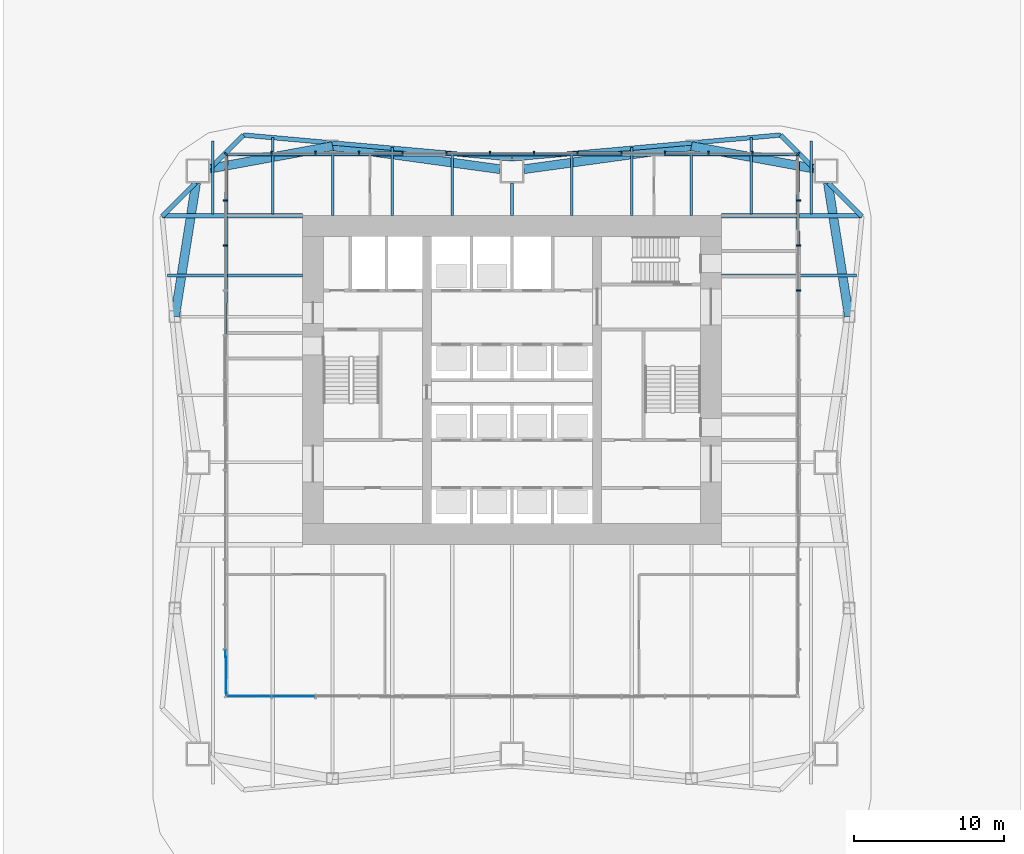
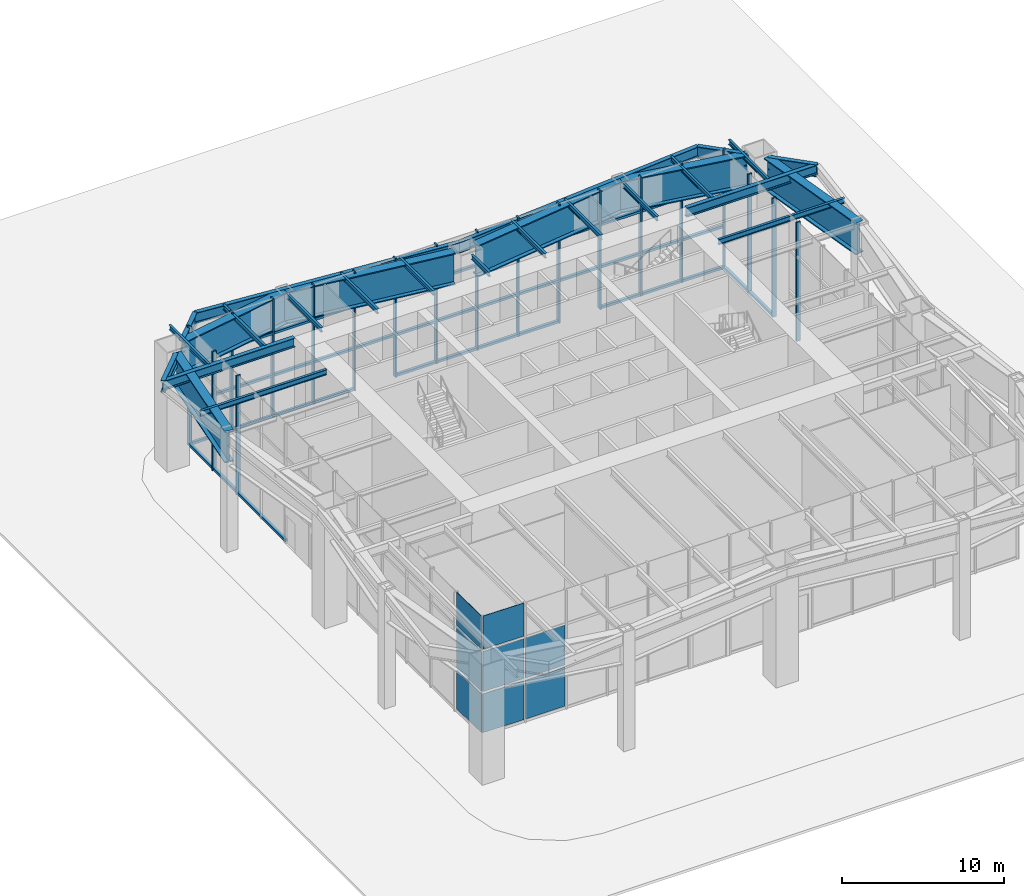
# One storey, part 4 of 13: 27 beams, 26 members, 8 plates, 4 elements without a shape of their own.
"""IFC4 building model written with IfcOpenShell, lengths in metres."""

from ifc_helpers import new_model, si_unit, direction, frame, origin, origin_2d, place, context, subcontext, project, spatial, rectangle, i_section, extrude, material, layer, layer_set, material_profile, profile_set, type_object, element, aggregate, save


model = new_model("IFC4")

# Units and contexts
model_context = context("Model", 3, precision=1e-05, world=origin(), true_north=direction((0.0, 1.0)))
body_context = subcontext(model_context, "Body", "Model", "MODEL_VIEW")
ifc_project = project(units=[si_unit("LENGTHUNIT", "METRE"), si_unit("AREAUNIT", "SQUARE_METRE"), si_unit("VOLUMEUNIT", "CUBIC_METRE"), si_unit("PLANEANGLEUNIT", "RADIAN"), si_unit("MASSUNIT", "GRAM", prefix="KILO")], contexts=[model_context])

# Site, building, storey
site_placement = place(None, origin())
site = spatial("IfcSite", under=ifc_project, at=site_placement, CompositionType="ELEMENT")
building_placement = place(site_placement, origin())
building = spatial("IfcBuilding", under=site, at=building_placement, Name="Verdant Reach Tower", CompositionType="ELEMENT")
storey_placement = place(building_placement, origin())
storey = spatial("IfcBuildingStorey", under=building, at=storey_placement, Name="G", CompositionType="ELEMENT", Elevation=0.0)

# Curtain wall, members
ifc_material_1 = material(Name="Anodised aluminium", Category="aluminium")
curtain_wall_type = type_object("IfcCurtainWallType", Name="EN-CW SYSTEM LOBBY", PredefinedType="NOTDEFINED", material=ifc_material_1)
curtain_wall_1_placement = place(storey_placement, origin())
curtain_wall_1 = element("IfcCurtainWall", 1, at=curtain_wall_1_placement, inside=storey, type_object=curtain_wall_type, Name="Curtain wall east, G", PredefinedType="NOTDEFINED")
ifc_material_profile_1 = material_profile(ifc_material_1, rectangle(XDim=0.300048828125, YDim=0.10009765625, at=origin_2d()), Name="Mullion 100x300")
ifc_profile_set_1 = profile_set([ifc_material_profile_1], Name="Anodised aluminium")
member_type_1 = type_object("IfcMemberType", Name="EN-MULLION LOBBY", PredefinedType="MULLION", material=ifc_profile_set_1)
member_1_placement = place(storey_placement, frame((19.14990234375, 34.0, 0.0), z_axis=(0.0, 0.0, 1.0), x_axis=(1.0, 0.0, 0.0)))
member_1 = element("IfcMember", 2, at=member_1_placement, type_object=member_type_1, Name="Mullion east face part 1 10, G", PredefinedType="MULLION", context=body_context, shape_type="SweptSolid", body=[
    extrude(rectangle(XDim=0.300048828125, YDim=0.10009765625, at=origin_2d()), origin(), (0.0, 0.0, 1.0), 9.0),
])
member_2_placement = place(storey_placement, frame((19.14990234375, 37.0, 0.0), z_axis=(0.0, 0.0, 1.0), x_axis=(1.0, 0.0, 0.0)))
member_2 = element("IfcMember", 3, at=member_2_placement, type_object=member_type_1, Name="Mullion east face part 1 11, G", PredefinedType="MULLION", context=body_context, shape_type="SweptSolid", body=[
    extrude(rectangle(XDim=0.300048828125, YDim=0.10009765625, at=origin_2d()), origin(), (0.0, 0.0, 1.0), 9.0),
])
member_3_placement = place(storey_placement, frame((19.14990234375, 40.0, 0.0), z_axis=(0.0, 0.0, 1.0), x_axis=(1.0, 0.0, 0.0)))
member_3 = element("IfcMember", 4, at=member_3_placement, type_object=member_type_1, Name="Mullion east face part 1 12, G", PredefinedType="MULLION", context=body_context, shape_type="SweptSolid", body=[
    extrude(rectangle(XDim=0.300048828125, YDim=0.10009765625, at=origin_2d()), origin(), (0.0, 0.0, 1.0), 9.0),
])

curtain_wall_2_placement = place(storey_placement, origin())
curtain_wall_2 = element("IfcCurtainWall", 5, at=curtain_wall_2_placement, inside=storey, type_object=curtain_wall_type, Name="Curtain wall north, G", PredefinedType="NOTDEFINED")
member_4_placement = place(storey_placement, frame((19.10595703125, 43.10595703125, 0.0), z_axis=(0.0, 0.0, 1.0), x_axis=(0.707106781187, 0.707106781187, 0.0)))
member_4 = element("IfcMember", 6, at=member_4_placement, type_object=member_type_1, Name="Mullion north face part 1 1, G", PredefinedType="MULLION", context=body_context, shape_type="SweptSolid", body=[
    extrude(rectangle(XDim=0.300048828125, YDim=0.10009765625, at=origin_2d()), origin(), (0.0, 0.0, 1.0), 9.0),
])
member_5_placement = place(storey_placement, frame((16.076904296875, 43.14990234375, 0.0), z_axis=(0.0, 0.0, 1.0), x_axis=(0.0, 1.0, 0.0)))
member_5 = element("IfcMember", 7, at=member_5_placement, type_object=member_type_1, Name="Mullion north face part 1 2, G", PredefinedType="MULLION", context=body_context, shape_type="SweptSolid", body=[
    extrude(rectangle(XDim=0.300048828125, YDim=0.10009765625, at=origin_2d()), origin(), (0.0, 0.0, 1.0), 9.0),
])
member_6_placement = place(storey_placement, frame((13.15380859375, 43.14990234375, 0.0), z_axis=(0.0, 0.0, 1.0), x_axis=(0.0, 1.0, 0.0)))
member_6 = element("IfcMember", 8, at=member_6_placement, type_object=member_type_1, Name="Mullion north face part 1 3, G", PredefinedType="MULLION", context=body_context, shape_type="SweptSolid", body=[
    extrude(rectangle(XDim=0.300048828125, YDim=0.10009765625, at=origin_2d()), origin(), (0.0, 0.0, 1.0), 9.0),
])
member_7_placement = place(storey_placement, frame((10.230712890625, 43.14990234375, 0.0), z_axis=(0.0, 0.0, 1.0), x_axis=(0.0, 1.0, 0.0)))
member_7 = element("IfcMember", 9, at=member_7_placement, type_object=member_type_1, Name="Mullion north face part 1 4, G", PredefinedType="MULLION", context=body_context, shape_type="SweptSolid", body=[
    extrude(rectangle(XDim=0.300048828125, YDim=0.10009765625, at=origin_2d()), origin(), (0.0, 0.0, 1.0), 9.0),
])
member_8_placement = place(storey_placement, frame((7.3076171875, 43.14990234375, 0.0), z_axis=(0.0, 0.0, 1.0), x_axis=(0.0, 1.0, 0.0)))
member_8 = element("IfcMember", 10, at=member_8_placement, type_object=member_type_1, Name="Mullion north face part 1 5, G", PredefinedType="MULLION", context=body_context, shape_type="SweptSolid", body=[
    extrude(rectangle(XDim=0.300048828125, YDim=0.10009765625, at=origin_2d()), origin(), (0.0, 0.0, 1.0), 9.0),
])
member_9_placement = place(storey_placement, frame((4.384521484375, 43.14990234375, 0.0), z_axis=(0.0, 0.0, 1.0), x_axis=(0.0, 1.0, 0.0)))
member_9 = element("IfcMember", 11, at=member_9_placement, type_object=member_type_1, Name="Mullion north face part 1 6, G", PredefinedType="MULLION", context=body_context, shape_type="SweptSolid", body=[
    extrude(rectangle(XDim=0.300048828125, YDim=0.10009765625, at=origin_2d()), origin(), (0.0, 0.0, 1.0), 9.0),
])
member_10_placement = place(storey_placement, frame((1.46142578125, 43.14990234375, 0.0), z_axis=(0.0, 0.0, 1.0), x_axis=(0.0, 1.0, 0.0)))
member_10 = element("IfcMember", 12, at=member_10_placement, type_object=member_type_1, Name="Mullion north face part 1 7, G", PredefinedType="MULLION", context=body_context, shape_type="SweptSolid", body=[
    extrude(rectangle(XDim=0.300048828125, YDim=0.10009765625, at=origin_2d()), origin(), (0.0, 0.0, 1.0), 9.0),
])
member_11_placement = place(storey_placement, frame((-1.46142578125, 43.14990234375, 0.0), z_axis=(0.0, 0.0, 1.0), x_axis=(0.0, 1.0, 0.0)))
member_11 = element("IfcMember", 13, at=member_11_placement, type_object=member_type_1, Name="Mullion north face part 1 8, G", PredefinedType="MULLION", context=body_context, shape_type="SweptSolid", body=[
    extrude(rectangle(XDim=0.300048828125, YDim=0.10009765625, at=origin_2d()), origin(), (0.0, 0.0, 1.0), 9.0),
])
member_12_placement = place(storey_placement, frame((-4.384521484375, 43.14990234375, 0.0), z_axis=(0.0, 0.0, 1.0), x_axis=(0.0, 1.0, 0.0)))
member_12 = element("IfcMember", 14, at=member_12_placement, type_object=member_type_1, Name="Mullion north face part 1 9, G", PredefinedType="MULLION", context=body_context, shape_type="SweptSolid", body=[
    extrude(rectangle(XDim=0.300048828125, YDim=0.10009765625, at=origin_2d()), origin(), (0.0, 0.0, 1.0), 9.0),
])
member_13_placement = place(storey_placement, frame((-7.3076171875, 43.14990234375, 0.0), z_axis=(0.0, 0.0, 1.0), x_axis=(0.0, 1.0, 0.0)))
member_13 = element("IfcMember", 15, at=member_13_placement, type_object=member_type_1, Name="Mullion north face part 1 10, G", PredefinedType="MULLION", context=body_context, shape_type="SweptSolid", body=[
    extrude(rectangle(XDim=0.300048828125, YDim=0.10009765625, at=origin_2d()), origin(), (0.0, 0.0, 1.0), 9.0),
])
member_14_placement = place(storey_placement, frame((-10.230712890625, 43.14990234375, 0.0), z_axis=(0.0, 0.0, 1.0), x_axis=(0.0, 1.0, 0.0)))
member_14 = element("IfcMember", 16, at=member_14_placement, type_object=member_type_1, Name="Mullion north face part 1 11, G", PredefinedType="MULLION", context=body_context, shape_type="SweptSolid", body=[
    extrude(rectangle(XDim=0.300048828125, YDim=0.10009765625, at=origin_2d()), origin(), (0.0, 0.0, 1.0), 9.0),
])
member_15_placement = place(storey_placement, frame((-13.15380859375, 43.14990234375, 0.0), z_axis=(0.0, 0.0, 1.0), x_axis=(0.0, 1.0, 0.0)))
member_15 = element("IfcMember", 17, at=member_15_placement, type_object=member_type_1, Name="Mullion north face part 1 12, G", PredefinedType="MULLION", context=body_context, shape_type="SweptSolid", body=[
    extrude(rectangle(XDim=0.300048828125, YDim=0.10009765625, at=origin_2d()), origin(), (0.0, 0.0, 1.0), 9.0),
])
member_16_placement = place(storey_placement, frame((-16.076904296875, 43.14990234375, 0.0), z_axis=(0.0, 0.0, 1.0), x_axis=(0.0, 1.0, 0.0)))
member_16 = element("IfcMember", 18, at=member_16_placement, type_object=member_type_1, Name="Mullion north face part 1 13, G", PredefinedType="MULLION", context=body_context, shape_type="SweptSolid", body=[
    extrude(rectangle(XDim=0.300048828125, YDim=0.10009765625, at=origin_2d()), origin(), (0.0, 0.0, 1.0), 9.0),
])

curtain_wall_3_placement = place(storey_placement, origin())
curtain_wall_3 = element("IfcCurtainWall", 19, at=curtain_wall_3_placement, inside=storey, type_object=curtain_wall_type, Name="Curtain wall west, G", PredefinedType="NOTDEFINED")
member_17_placement = place(storey_placement, frame((-19.10595703125, 43.10595703125, 0.0), z_axis=(0.0, 0.0, 1.0), x_axis=(-0.707106781187, 0.707106781187, 0.0)))
member_17 = element("IfcMember", 20, at=member_17_placement, type_object=member_type_1, Name="Mullion west face part 1 1, G", PredefinedType="MULLION", context=body_context, shape_type="SweptSolid", body=[
    extrude(rectangle(XDim=0.300048828125, YDim=0.10009765625, at=origin_2d()), origin(), (0.0, 0.0, 1.0), 9.0),
])
member_18_placement = place(storey_placement, frame((-19.14990234375, 40.0, 0.0), z_axis=(0.0, 0.0, 1.0), x_axis=(-1.0, 0.0, 0.0)))
member_18 = element("IfcMember", 21, at=member_18_placement, type_object=member_type_1, Name="Mullion west face part 1 2, G", PredefinedType="MULLION", context=body_context, shape_type="SweptSolid", body=[
    extrude(rectangle(XDim=0.300048828125, YDim=0.10009765625, at=origin_2d()), origin(), (0.0, 0.0, 1.0), 9.0),
])
member_19_placement = place(storey_placement, frame((-19.14990234375, 37.0, 0.0), z_axis=(0.0, 0.0, 1.0), x_axis=(-1.0, 0.0, 0.0)))
member_19 = element("IfcMember", 22, at=member_19_placement, type_object=member_type_1, Name="Mullion west face part 1 3, G", PredefinedType="MULLION", context=body_context, shape_type="SweptSolid", body=[
    extrude(rectangle(XDim=0.300048828125, YDim=0.10009765625, at=origin_2d()), origin(), (0.0, 0.0, 1.0), 9.0),
])

# Member
ifc_material_profile_2 = material_profile(ifc_material_1, rectangle(XDim=0.199951171875, YDim=0.179931640625, at=origin_2d()), Name="Transom 180x200")
ifc_profile_set_2 = profile_set([ifc_material_profile_2], Name="Anodised aluminium")
member_type_2 = type_object("IfcMemberType", Name="EN-TRANSOM LOBBY", PredefinedType="USERDEFINED", material=ifc_profile_set_2)
member_20_placement = place(storey_placement, frame((19.149658203125, 37.050048828125, 0.090087890625), z_axis=(-0.007194643263, 0.999974118219, 0.0), x_axis=(-0.999974118219, -0.007194643263, 0.0)))
member_20 = element("IfcMember", 23, at=member_20_placement, type_object=member_type_2, Name="Transom east face part 1 3.1, G", ObjectType="TRANSOM", PredefinedType="USERDEFINED", context=body_context, shape_type="SweptSolid", body=[
    extrude(rectangle(XDim=0.199951171875, YDim=0.179931640625, at=origin_2d()), origin(), (0.0, 0.0, 1.0), 6.00634765625),
])

aggregate(curtain_wall_1, [member_1, member_2, member_3, member_20])

member_21_placement = place(storey_placement, frame((19.05615234375, 43.106201171875, 0.090087890625), z_axis=(-0.999987738342, 0.004952087064, 0.0), x_axis=(-0.004952087064, -0.999987738342, 0.0)))
member_21 = element("IfcMember", 24, at=member_21_placement, type_object=member_type_2, Name="Transom north face part 1 1.1, G", ObjectType="TRANSOM", PredefinedType="USERDEFINED", context=body_context, shape_type="SweptSolid", body=[
    extrude(rectangle(XDim=0.199951171875, YDim=0.179931640625, at=origin_2d()), origin(), (0.0, 0.0, 1.0), 8.775390625),
])

member_22_placement = place(storey_placement, frame((7.2578125, 43.14990234375, 0.090087890625), z_axis=(-1.0, 0.0, 0.0), x_axis=(0.0, -1.0, 0.0)))
member_22 = element("IfcMember", 25, at=member_22_placement, type_object=member_type_2, Name="Transom north face part 1 2.1, G", ObjectType="TRANSOM", PredefinedType="USERDEFINED", context=body_context, shape_type="SweptSolid", body=[
    extrude(rectangle(XDim=0.199951171875, YDim=0.179931640625, at=origin_2d()), origin(), (0.0, 0.0, 1.0), 11.592529296875),
])

member_23_placement = place(storey_placement, frame((-7.357666015625, 43.14990234375, 0.090087890625), z_axis=(-0.999993022622, -0.003735600122, 0.0), x_axis=(0.003735600122, -0.999993022622, 0.0)))
member_23 = element("IfcMember", 26, at=member_23_placement, type_object=member_type_2, Name="Transom north face part 1 3.1, G", ObjectType="TRANSOM", PredefinedType="USERDEFINED", context=body_context, shape_type="SweptSolid", body=[
    extrude(rectangle(XDim=0.199951171875, YDim=0.179931640625, at=origin_2d()), origin(), (0.0, 0.0, 1.0), 11.698486328125),
])

member_24_placement = place(storey_placement, frame((19.05615234375, 43.10595703125, 3.199951171875), z_axis=(-1.0, 0.0, 0.0), x_axis=(0.0, -1.0, 0.0)))
member_24 = element("IfcMember", 27, at=member_24_placement, type_object=member_type_2, Name="Transom north face part 1 1.2, G", ObjectType="TRANSOM", PredefinedType="USERDEFINED", context=body_context, shape_type="SweptSolid", body=[
    extrude(rectangle(XDim=0.199951171875, YDim=0.179931640625, at=origin_2d()), origin(), (0.0, 0.0, 1.0), 38.1123046875),
])

member_25_placement = place(storey_placement, frame((19.05615234375, 43.10595703125, 6.39990234375), z_axis=(-1.0, 0.0, 0.0), x_axis=(0.0, -1.0, 0.0)))
member_25 = element("IfcMember", 28, at=member_25_placement, type_object=member_type_2, Name="Transom north face part 1 1.3, G", ObjectType="TRANSOM", PredefinedType="USERDEFINED", context=body_context, shape_type="SweptSolid", body=[
    extrude(rectangle(XDim=0.199951171875, YDim=0.179931640625, at=origin_2d()), origin(), (0.0, 0.0, 1.0), 38.1123046875),
])

aggregate(curtain_wall_2, [member_4, member_5, member_6, member_7, member_8, member_9, member_10, member_11, member_12, member_13, member_14, member_15, member_16, member_21, member_22, member_23, member_24, member_25])

member_26_placement = place(storey_placement, frame((-19.106201171875, 43.05615234375, 0.090087890625), z_axis=(-0.003639888855, -0.999993375583, 0.0), x_axis=(0.999993375583, -0.003639888855, 0.0)))
member_26 = element("IfcMember", 29, at=member_26_placement, type_object=member_type_2, Name="Transom west face part 1 1.1, G", ObjectType="TRANSOM", PredefinedType="USERDEFINED", context=body_context, shape_type="SweptSolid", body=[
    extrude(rectangle(XDim=0.199951171875, YDim=0.179931640625, at=origin_2d()), origin(), (0.0, 0.0, 1.0), 12.006103515625),
])

# Beams
ifc_material_2 = material(Name="Steel S355", Category="steel")
ifc_material_profile_3 = material_profile(ifc_material_2, i_section(OverallWidth=0.300048828125, OverallDepth=0.699951171875, WebThickness=0.01708984375, FlangeThickness=0.031982421875, FilletRadius=0.027099609375, at=origin_2d()), Name="HEB 700")
ifc_profile_set_3 = profile_set([ifc_material_profile_3], Name="Steel S355")
beam_type_1 = type_object("IfcBeamType", Name="ST-BEAM-HEB700", PredefinedType="BEAM", material=ifc_profile_set_3)
for number, where, z_axis, x_axis, name in (
    (30, (14.0, 39.0, 8.52001953125), (1.0, 0.0, 0.0), (0.0, 1.0, 0.0), "Trimmer beam, G"),
    (31, (-14.0, 39.0, 8.52001953125), (-1.0, 0.0, 0.0), (0.0, -1.0, 0.0), "Trimmer beam, G"),
):
    element("IfcBeam", number, at=place(storey_placement, frame(where, z_axis=z_axis, x_axis=x_axis)), inside=storey, type_object=beam_type_1, Name=name, PredefinedType="BEAM", context=body_context, shape_type="SweptSolid", body=[
        extrude(i_section(OverallWidth=0.300048828125, OverallDepth=0.699951171875, WebThickness=0.01708984375, FlangeThickness=0.031982421875, FilletRadius=0.027099609375, at=origin_2d()), origin(), (0.0, 0.0, 1.0), 9.38818359375),
    ])
ifc_material_profile_4 = material_profile(ifc_material_2, i_section(OverallWidth=0.60009765625, OverallDepth=2.39990234375, WebThickness=0.0400390625, FlangeThickness=0.080078125, at=origin_2d()), Name="PG 2400x600x40x80")
ifc_profile_set_4 = profile_set([ifc_material_profile_4], Name="Steel S355")
beam_type_2 = type_object("IfcBeamType", Name="ST-BEAM-PG2400x600x40x80", PredefinedType="BEAM", material=ifc_profile_set_4)
beam_1_placement = place(storey_placement, frame((-20.213134765625, 42.144287109375, 7.669921875), z_axis=(0.983609236735, 0.180313253558, 0.0), x_axis=(-0.180313253558, 0.983609236735, 0.0)))
element("IfcBeam", 32, at=beam_1_placement, inside=storey, type_object=beam_type_2, Name="Transfer girder north 1, ground storey", PredefinedType="BEAM", context=body_context, shape_type="SweptSolid", body=[
    extrude(i_section(OverallWidth=0.60009765625, OverallDepth=2.39990234375, WebThickness=0.0400390625, FlangeThickness=0.080078125, at=origin_2d()), origin(), (0.0, 0.0, 1.0), 8.35009765625),
])
for number, where, z_axis, x_axis, name in (
    (33, (-12.0, 43.64990234375, 7.669921875), (0.990679058264, -0.136216751966, 0.0), (0.136216751966, 0.990679058264, 0.0), "Transfer girder north 2, ground storey"),
    (34, (0.79248046875, 42.10888671875, 7.669921875), (0.990679058264, 0.136216751966, 0.0), (-0.136216751966, 0.990679058264, 0.0), "Transfer girder north 3, ground storey"),
):
    element("IfcBeam", number, at=place(storey_placement, frame(where, z_axis=z_axis, x_axis=x_axis)), inside=storey, type_object=beam_type_2, Name=name, PredefinedType="BEAM", context=body_context, shape_type="SweptSolid", body=[
        extrude(i_section(OverallWidth=0.60009765625, OverallDepth=2.39990234375, WebThickness=0.0400390625, FlangeThickness=0.080078125, at=origin_2d()), origin(), (0.0, 0.0, 1.0), 11.31298828125),
    ])
beam_2_placement = place(storey_placement, frame((12.0, 43.64990234375, 7.669921875), z_axis=(0.983609236735, -0.180313253558, 0.0), x_axis=(0.180313253558, 0.983609236735, 0.0)))
element("IfcBeam", 35, at=beam_2_placement, inside=storey, type_object=beam_type_2, Name="Transfer girder north 4, ground storey", PredefinedType="BEAM", context=body_context, shape_type="SweptSolid", body=[
    extrude(i_section(OverallWidth=0.60009765625, OverallDepth=2.39990234375, WebThickness=0.0400390625, FlangeThickness=0.080078125, at=origin_2d()), origin(), (0.0, 0.0, 1.0), 8.35009765625),
])
for number, where, z_axis, x_axis, name in (
    (36, (22.536376953125, 32.25, 7.669921875), (-0.155658481672, 0.987810931851, 0.0), (-0.987810931851, -0.155658481672, 0.0), "Transfer girder east 12, ground storey"),
    (37, (-22.536376953125, 32.25, 7.669921875), (0.155658481672, 0.987810931851, 0.0), (-0.987810931851, 0.155658481672, 0.0), "Transfer girder west 16, ground storey"),
):
    element("IfcBeam", number, at=place(storey_placement, frame(where, z_axis=z_axis, x_axis=x_axis)), inside=storey, type_object=beam_type_2, Name=name, PredefinedType="BEAM", context=body_context, shape_type="SweptSolid", body=[
        extrude(i_section(OverallWidth=0.60009765625, OverallDepth=2.39990234375, WebThickness=0.0400390625, FlangeThickness=0.080078125, at=origin_2d()), origin(), (0.0, 0.0, 1.0), 9.0703125),
    ])
ifc_material_profile_5 = material_profile(ifc_material_2, i_section(OverallWidth=0.169921875, OverallDepth=0.360107421875, WebThickness=0.008056640625, FlangeThickness=0.0126953125, FilletRadius=0.01806640625, at=origin_2d()), Name="IPE 360")
ifc_profile_set_5 = profile_set([ifc_material_profile_5], Name="Steel S355")
beam_type_3 = type_object("IfcBeamType", Name="ST-JOIST-IPE360", PredefinedType="JOIST", material=ifc_profile_set_5)
beam_3_placement = place(storey_placement, frame((-20.0, 39.10009765625, 8.68994140625), z_axis=(0.0, 1.0, 0.0), x_axis=(-1.0, 0.0, 0.0)))
element("IfcBeam", 38, at=beam_3_placement, inside=storey, type_object=beam_type_3, Name="Floor joist, G", PredefinedType="JOIST", context=body_context, shape_type="SweptSolid", body=[
    extrude(i_section(OverallWidth=0.169921875, OverallDepth=0.360107421875, WebThickness=0.008056640625, FlangeThickness=0.0126953125, FilletRadius=0.01806640625, at=origin_2d()), origin(), (0.0, 0.0, 1.0), 4.890380859375),
])
beam_4_placement = place(storey_placement, frame((-16.0, 39.10009765625, 8.68994140625), z_axis=(0.0, 1.0, 0.0), x_axis=(-1.0, 0.0, 0.0)))
element("IfcBeam", 39, at=beam_4_placement, inside=storey, type_object=beam_type_3, Name="Floor joist, G", PredefinedType="JOIST", context=body_context, shape_type="SweptSolid", body=[
    extrude(i_section(OverallWidth=0.169921875, OverallDepth=0.360107421875, WebThickness=0.008056640625, FlangeThickness=0.0126953125, FilletRadius=0.01806640625, at=origin_2d()), origin(), (0.0, 0.0, 1.0), 5.131103515625),
])
beam_5_placement = place(storey_placement, frame((-12.0, 39.0, 8.68994140625), z_axis=(0.0, 1.0, 0.0), x_axis=(-1.0, 0.0, 0.0)))
element("IfcBeam", 40, at=beam_5_placement, inside=storey, type_object=beam_type_3, Name="Floor joist, G", PredefinedType="JOIST", context=body_context, shape_type="SweptSolid", body=[
    extrude(i_section(OverallWidth=0.169921875, OverallDepth=0.360107421875, WebThickness=0.008056640625, FlangeThickness=0.0126953125, FilletRadius=0.01806640625, at=origin_2d()), origin(), (0.0, 0.0, 1.0), 4.25),
])
beam_6_placement = place(storey_placement, frame((-8.0, 39.0, 8.68994140625), z_axis=(0.0, 1.0, 0.0), x_axis=(-1.0, 0.0, 0.0)))
element("IfcBeam", 41, at=beam_6_placement, inside=storey, type_object=beam_type_3, Name="Floor joist, G", PredefinedType="JOIST", context=body_context, shape_type="SweptSolid", body=[
    extrude(i_section(OverallWidth=0.169921875, OverallDepth=0.360107421875, WebThickness=0.008056640625, FlangeThickness=0.0126953125, FilletRadius=0.01806640625, at=origin_2d()), origin(), (0.0, 0.0, 1.0), 4.564697265625),
])
beam_7_placement = place(storey_placement, frame((-4.0, 39.0, 8.68994140625), z_axis=(0.0, 1.0, 0.0), x_axis=(-1.0, 0.0, 0.0)))
element("IfcBeam", 42, at=beam_7_placement, inside=storey, type_object=beam_type_3, Name="Floor joist, G", PredefinedType="JOIST", context=body_context, shape_type="SweptSolid", body=[
    extrude(i_section(OverallWidth=0.169921875, OverallDepth=0.360107421875, WebThickness=0.008056640625, FlangeThickness=0.0126953125, FilletRadius=0.01806640625, at=origin_2d()), origin(), (0.0, 0.0, 1.0), 4.231201171875),
])
beam_8_placement = place(storey_placement, frame((0.0, 39.0, 8.68994140625), z_axis=(0.0, 1.0, 0.0), x_axis=(-1.0, 0.0, 0.0)))
element("IfcBeam", 43, at=beam_8_placement, inside=storey, type_object=beam_type_3, Name="Floor joist, G", PredefinedType="JOIST", context=body_context, shape_type="SweptSolid", body=[
    extrude(i_section(OverallWidth=0.169921875, OverallDepth=0.360107421875, WebThickness=0.008056640625, FlangeThickness=0.0126953125, FilletRadius=0.01806640625, at=origin_2d()), origin(), (0.0, 0.0, 1.0), 2.199951171875),
])
beam_9_placement = place(storey_placement, frame((4.0, 39.0, 8.68994140625), z_axis=(0.0, 1.0, 0.0), x_axis=(-1.0, 0.0, 0.0)))
element("IfcBeam", 44, at=beam_9_placement, inside=storey, type_object=beam_type_3, Name="Floor joist, G", PredefinedType="JOIST", context=body_context, shape_type="SweptSolid", body=[
    extrude(i_section(OverallWidth=0.169921875, OverallDepth=0.360107421875, WebThickness=0.008056640625, FlangeThickness=0.0126953125, FilletRadius=0.01806640625, at=origin_2d()), origin(), (0.0, 0.0, 1.0), 4.231201171875),
])
beam_10_placement = place(storey_placement, frame((8.0, 39.0, 8.68994140625), z_axis=(0.0, 1.0, 0.0), x_axis=(-1.0, 0.0, 0.0)))
element("IfcBeam", 45, at=beam_10_placement, inside=storey, type_object=beam_type_3, Name="Floor joist, G", PredefinedType="JOIST", context=body_context, shape_type="SweptSolid", body=[
    extrude(i_section(OverallWidth=0.169921875, OverallDepth=0.360107421875, WebThickness=0.008056640625, FlangeThickness=0.0126953125, FilletRadius=0.01806640625, at=origin_2d()), origin(), (0.0, 0.0, 1.0), 4.564697265625),
])
beam_11_placement = place(storey_placement, frame((12.0, 39.0, 8.68994140625), z_axis=(0.0, 1.0, 0.0), x_axis=(-1.0, 0.0, 0.0)))
element("IfcBeam", 46, at=beam_11_placement, inside=storey, type_object=beam_type_3, Name="Floor joist, G", PredefinedType="JOIST", context=body_context, shape_type="SweptSolid", body=[
    extrude(i_section(OverallWidth=0.169921875, OverallDepth=0.360107421875, WebThickness=0.008056640625, FlangeThickness=0.0126953125, FilletRadius=0.01806640625, at=origin_2d()), origin(), (0.0, 0.0, 1.0), 4.25),
])
beam_12_placement = place(storey_placement, frame((16.0, 39.10009765625, 8.68994140625), z_axis=(0.0, 1.0, 0.0), x_axis=(-1.0, 0.0, 0.0)))
element("IfcBeam", 47, at=beam_12_placement, inside=storey, type_object=beam_type_3, Name="Floor joist, G", PredefinedType="JOIST", context=body_context, shape_type="SweptSolid", body=[
    extrude(i_section(OverallWidth=0.169921875, OverallDepth=0.360107421875, WebThickness=0.008056640625, FlangeThickness=0.0126953125, FilletRadius=0.01806640625, at=origin_2d()), origin(), (0.0, 0.0, 1.0), 5.131103515625),
])
beam_13_placement = place(storey_placement, frame((20.0, 39.10009765625, 8.68994140625), z_axis=(0.0, 1.0, 0.0), x_axis=(-1.0, 0.0, 0.0)))
element("IfcBeam", 48, at=beam_13_placement, inside=storey, type_object=beam_type_3, Name="Floor joist, G", PredefinedType="JOIST", context=body_context, shape_type="SweptSolid", body=[
    extrude(i_section(OverallWidth=0.169921875, OverallDepth=0.360107421875, WebThickness=0.008056640625, FlangeThickness=0.0126953125, FilletRadius=0.01806640625, at=origin_2d()), origin(), (0.0, 0.0, 1.0), 4.890380859375),
])
ifc_material_profile_6 = material_profile(ifc_material_2, i_section(OverallWidth=0.179931640625, OverallDepth=0.39990234375, WebThickness=0.008544921875, FlangeThickness=0.013427734375, FilletRadius=0.02099609375, at=origin_2d()), Name="IPE 400")
ifc_profile_set_6 = profile_set([ifc_material_profile_6], Name="Steel S355")
beam_type_4 = type_object("IfcBeamType", Name="ST-JOIST-IPE400", PredefinedType="JOIST", material=ifc_profile_set_6)
for number, where, z_axis, x_axis, name in (
    (49, (14.0, 35.0, 8.669921875), (1.0, 0.0, 0.0), (0.0, 1.0, 0.0), "Floor joist, G"),
    (50, (-14.0, 35.0, 8.669921875), (-1.0, 0.0, 0.0), (0.0, -1.0, 0.0), "Floor joist, G"),
):
    element("IfcBeam", number, at=place(storey_placement, frame(where, z_axis=z_axis, x_axis=x_axis)), inside=storey, type_object=beam_type_4, Name=name, PredefinedType="JOIST", context=body_context, shape_type="SweptSolid", body=[
        extrude(i_section(OverallWidth=0.179931640625, OverallDepth=0.39990234375, WebThickness=0.008544921875, FlangeThickness=0.013427734375, FilletRadius=0.02099609375, at=origin_2d()), origin(), (0.0, 0.0, 1.0), 9.033935546875),
    ])
ifc_material_profile_7 = material_profile(ifc_material_2, i_section(OverallWidth=0.300048828125, OverallDepth=0.800048828125, WebThickness=0.017578125, FlangeThickness=0.032958984375, FilletRadius=0.030029296875, at=origin_2d()), Name="HEB 800")
ifc_profile_set_7 = profile_set([ifc_material_profile_7], Name="Steel S355")
beam_type_5 = type_object("IfcBeamType", Name="ST-SPANDREL-HEB800", PredefinedType="SPANDREL", material=ifc_profile_set_7)
for number, where, z_axis, x_axis, name in (
    (51, (-17.9658203125, 44.39501953125, 8.469970703125), (0.996082370463, -0.088430262084, 0.0), (0.088430262084, 0.996082370463, 0.0), "Edge beam, G"),
    (52, (0.0, 42.800048828125, 8.469970703125), (0.996082370463, 0.088430262084, 0.0), (-0.088430262084, 0.996082370463, 0.0), "Edge beam, G"),
):
    element("IfcBeam", number, at=place(storey_placement, frame(where, z_axis=z_axis, x_axis=x_axis)), inside=storey, type_object=beam_type_5, Name=name, PredefinedType="SPANDREL", context=body_context, shape_type="SweptSolid", body=[
        extrude(i_section(OverallWidth=0.300048828125, OverallDepth=0.800048828125, WebThickness=0.017578125, FlangeThickness=0.032958984375, FilletRadius=0.030029296875, at=origin_2d()), origin(), (0.0, 0.0, 1.0), 18.036376953125),
    ])
ifc_material_profile_8 = material_profile(ifc_material_2, i_section(OverallWidth=0.302001953125, OverallDepth=0.909912109375, WebThickness=0.02099609375, FlangeThickness=0.0400390625, FilletRadius=0.030029296875, at=origin_2d()), Name="HEM 900")
ifc_profile_set_8 = profile_set([ifc_material_profile_8], Name="Steel S355")
beam_type_6 = type_object("IfcBeamType", Name="ST-SPANDREL-HEM900", PredefinedType="SPANDREL", material=ifc_profile_set_8)
beam_14_placement = place(storey_placement, frame((-23.39453125, 38.968017578125, 8.4150390625), z_axis=(0.70722277322, 0.706990770123, 0.0), x_axis=(-0.706990770123, 0.70722277322, 0.0)))
element("IfcBeam", 53, at=beam_14_placement, inside=storey, type_object=beam_type_6, Name="Edge beam, G", PredefinedType="SPANDREL", context=body_context, shape_type="SweptSolid", body=[
    extrude(i_section(OverallWidth=0.302001953125, OverallDepth=0.909912109375, WebThickness=0.02099609375, FlangeThickness=0.0400390625, FilletRadius=0.030029296875, at=origin_2d()), origin(), (0.0, 0.0, 1.0), 3.156982421875),
])
for number, where, z_axis, x_axis, name in (
    (54, (-20.199951171875, 42.16162109375, 8.4150390625), (0.707222697162, 0.706990846206, 0.0), (-0.706990846206, 0.707222697162, 0.0), "Edge beam, G"),
    (55, (17.9658203125, 44.39501953125, 8.4150390625), (0.707222697162, -0.706990846206, 0.0), (0.706990846206, 0.707222697162, 0.0), "Edge beam, G"),
):
    element("IfcBeam", number, at=place(storey_placement, frame(where, z_axis=z_axis, x_axis=x_axis)), inside=storey, type_object=beam_type_6, Name=name, PredefinedType="SPANDREL", context=body_context, shape_type="SweptSolid", body=[
        extrude(i_section(OverallWidth=0.302001953125, OverallDepth=0.909912109375, WebThickness=0.02099609375, FlangeThickness=0.0400390625, FilletRadius=0.030029296875, at=origin_2d()), origin(), (0.0, 0.0, 1.0), 3.158935546875),
    ])
beam_15_placement = place(storey_placement, frame((21.161865234375, 41.199951171875, 8.4150390625), z_axis=(0.70722277322, -0.706990770123, 0.0), x_axis=(0.706990770123, 0.70722277322, 0.0)))
element("IfcBeam", 56, at=beam_15_placement, inside=storey, type_object=beam_type_6, Name="Edge beam, G", PredefinedType="SPANDREL", context=body_context, shape_type="SweptSolid", body=[
    extrude(i_section(OverallWidth=0.302001953125, OverallDepth=0.909912109375, WebThickness=0.02099609375, FlangeThickness=0.0400390625, FilletRadius=0.030029296875, at=origin_2d()), origin(), (0.0, 0.0, 1.0), 3.156982421875),
])

# Curtain wall, plates
curtain_wall_4_placement = place(storey_placement, origin())
curtain_wall_4 = element("IfcCurtainWall", 57, at=curtain_wall_4_placement, inside=storey, type_object=curtain_wall_type, Name="Curtain wall south, G", PredefinedType="NOTDEFINED")
ifc_material_3 = material(Name="Clear laminated glass", Category="glass")
ifc_layer = layer(ifc_material_3, 0.035888671875)
ifc_layer_set = layer_set([ifc_layer], Name="EN-PANEL CLEAR")
plate_type = type_object("IfcPlateType", Name="EN-PANEL CLEAR", PredefinedType="CURTAIN_PANEL", material=ifc_layer_set)
plate_1_placement = place(storey_placement, frame((-17.591552734375, 6.8720703125, 0.18017578125), z_axis=(0.0, 0.0, 1.0), x_axis=(0.999894836966, -0.014502241536, 0.0)))
plate_1 = element("IfcPlate", 58, at=plate_1_placement, type_object=plate_type, Name="Glass panel south face part 1 1.1, G", PredefinedType="CURTAIN_PANEL", context=body_context, shape_type="SweptSolid", body=[
    extrude(rectangle(XDim=2.933349609375, YDim=0.035888671875, at=origin_2d()), origin(), (0.0, 0.0, 1.0), 2.929931640625),
])
plate_2_placement = place(storey_placement, frame((-17.591552734375, 6.8720703125, 3.2900390625), z_axis=(0.0, 0.0, 1.0), x_axis=(0.999894836966, -0.014502241536, 0.0)))
plate_2 = element("IfcPlate", 59, at=plate_2_placement, type_object=plate_type, Name="Glass panel south face part 1 1.2, G", PredefinedType="CURTAIN_PANEL", context=body_context, shape_type="SweptSolid", body=[
    extrude(rectangle(XDim=2.933349609375, YDim=0.035888671875, at=origin_2d()), origin(), (0.0, 0.0, 1.0), 3.02001953125),
])
plate_3_placement = place(storey_placement, frame((-17.591552734375, 6.8720703125, 6.490234375), z_axis=(0.0, 0.0, 1.0), x_axis=(0.999894836966, -0.014502241536, 0.0)))
plate_3 = element("IfcPlate", 60, at=plate_3_placement, type_object=plate_type, Name="Glass panel south face part 1 1.3, G", PredefinedType="CURTAIN_PANEL", context=body_context, shape_type="SweptSolid", body=[
    extrude(rectangle(XDim=2.933349609375, YDim=0.035888671875, at=origin_2d()), origin(), (0.0, 0.0, 1.0), 2.510009765625),
])
plate_4_placement = place(storey_placement, frame((-14.615478515625, 6.85009765625, 0.18017578125), z_axis=(0.0, 0.0, 1.0), x_axis=(1.0, 0.0, 0.0)))
plate_4 = element("IfcPlate", 61, at=plate_4_placement, type_object=plate_type, Name="Glass panel south face part 1 2.1, G", PredefinedType="CURTAIN_PANEL", context=body_context, shape_type="SweptSolid", body=[
    extrude(rectangle(XDim=2.8271484375, YDim=0.035888671875, at=origin_2d()), origin(), (0.0, 0.0, 1.0), 2.929931640625),
])
plate_5_placement = place(storey_placement, frame((-14.615478515625, 6.85009765625, 3.2900390625), z_axis=(0.0, 0.0, 1.0), x_axis=(1.0, 0.0, 0.0)))
plate_5 = element("IfcPlate", 62, at=plate_5_placement, type_object=plate_type, Name="Glass panel south face part 1 2.2, G", PredefinedType="CURTAIN_PANEL", context=body_context, shape_type="SweptSolid", body=[
    extrude(rectangle(XDim=2.8271484375, YDim=0.035888671875, at=origin_2d()), origin(), (0.0, 0.0, 1.0), 3.02001953125),
])
aggregate(curtain_wall_4, [plate_1, plate_2, plate_3, plate_4, plate_5])

# Plate
plate_6_placement = place(storey_placement, frame((-19.1279296875, 8.447021484375, 0.18017578125), z_axis=(0.0, 0.0, 1.0), x_axis=(0.014143159969, -0.999899980511, 0.0)))
plate_6 = element("IfcPlate", 63, at=plate_6_placement, type_object=plate_type, Name="Glass panel west face part 1 12.1, G", PredefinedType="CURTAIN_PANEL", context=body_context, shape_type="SweptSolid", body=[
    extrude(rectangle(XDim=3.010498046875, YDim=0.035888671875, at=origin_2d()), origin(), (0.0, 0.0, 1.0), 2.929931640625),
])

plate_7_placement = place(storey_placement, frame((-19.1279296875, 8.447021484375, 3.2900390625), z_axis=(0.0, 0.0, 1.0), x_axis=(0.014143159969, -0.999899980511, 0.0)))
plate_7 = element("IfcPlate", 64, at=plate_7_placement, type_object=plate_type, Name="Glass panel west face part 1 12.2, G", PredefinedType="CURTAIN_PANEL", context=body_context, shape_type="SweptSolid", body=[
    extrude(rectangle(XDim=3.010498046875, YDim=0.035888671875, at=origin_2d()), origin(), (0.0, 0.0, 1.0), 3.02001953125),
])

plate_8_placement = place(storey_placement, frame((-19.1279296875, 8.447021484375, 6.490234375), z_axis=(0.0, 0.0, 1.0), x_axis=(0.014143159969, -0.999899980511, 0.0)))
plate_8 = element("IfcPlate", 65, at=plate_8_placement, type_object=plate_type, Name="Glass panel west face part 1 12.3, G", PredefinedType="CURTAIN_PANEL", context=body_context, shape_type="SweptSolid", body=[
    extrude(rectangle(XDim=3.010498046875, YDim=0.035888671875, at=origin_2d()), origin(), (0.0, 0.0, 1.0), 2.510009765625),
])

aggregate(curtain_wall_3, [member_17, member_18, member_19, member_26, plate_6, plate_7, plate_8])

save(model, "model.ifc")
